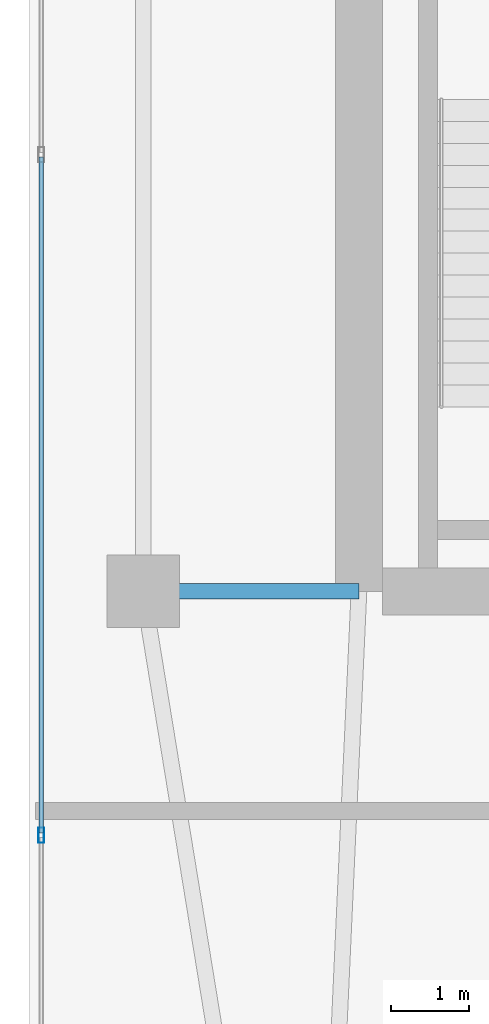
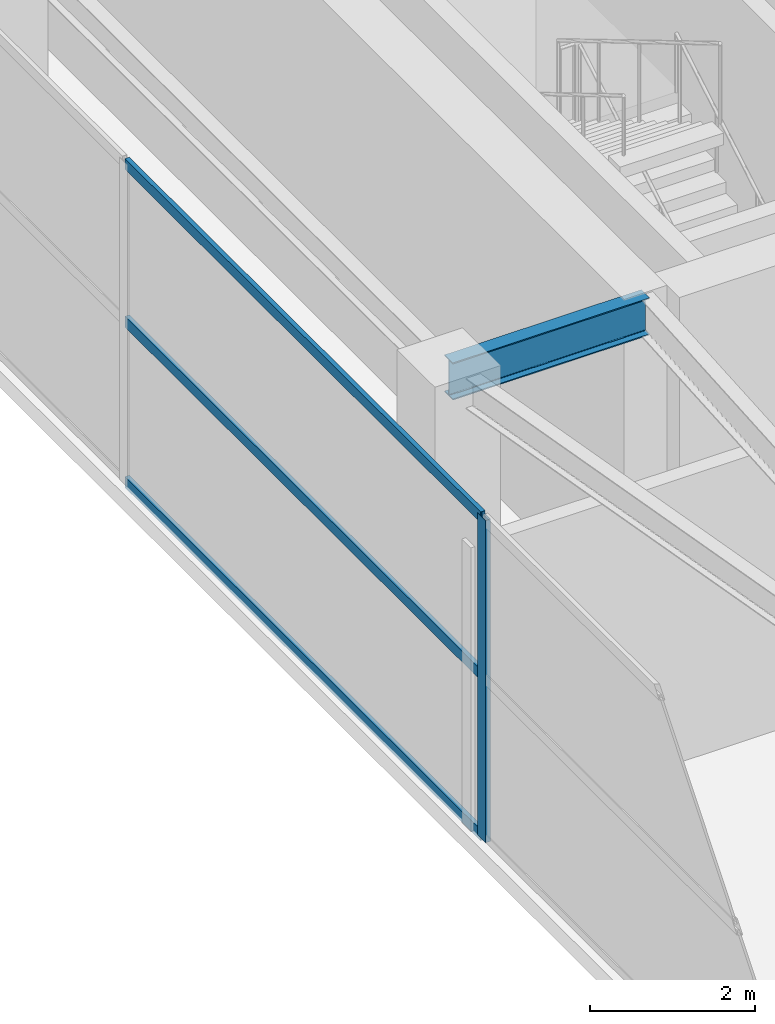
# One storey, part 6 of 21: 4 members, 1 beam, 1 element without a shape of its own.
"""IFC4 building model written with IfcOpenShell, lengths in metres."""

import ifcopenshell
import ifcopenshell.guid

model = None  # the IFC model being written
_history = None  # IfcOwnerHistory: only IFC2X3 demands one
_inside = {}  # id of a spatial element -> (the spatial element, [elements in it])
_under = {}  # id of a project, library or spatial element -> (it, [spatial elements below it])
_declared = {}  # id of a project -> (the project, [libraries it declares])
_typed = {}  # id of a type object -> (the type object, [elements of that type])
_made_of = {}  # id of a material, layer set ... -> (it, [elements and type objects made of it])


def new_model(schema):
    """Start an empty IFC model of exactly this schema.

    Asked for "IFC4X3", IfcOpenShell would pick the latest addendum, in which some entities
    have other attributes; the version numbers below select the first issue.
    IFC2X3 requires an IfcOwnerHistory on every rooted entity: one is made here for all.
    """
    global model, _history
    if schema == "IFC4X3":
        model = ifcopenshell.file(schema_version=(4, 3, 0, 0))
    else:
        model = ifcopenshell.file(schema=schema)
    _inside.clear()
    _under.clear()
    _declared.clear()
    _typed.clear()
    _made_of.clear()
    _history = None
    if model.schema == "IFC2X3":
        org = make("IfcOrganization", Name="unknown")
        user = make(
            "IfcPersonAndOrganization",
            ThePerson=make("IfcPerson", FamilyName="unknown"),
            TheOrganization=org,
        )
        app = make(
            "IfcApplication",
            ApplicationDeveloper=org,
            Version="unknown",
            ApplicationFullName="unknown",
            ApplicationIdentifier="unknown",
        )
        _history = make(
            "IfcOwnerHistory",
            OwningUser=user,
            OwningApplication=app,
            ChangeAction="ADDED",
            CreationDate=0,
        )
    return model


def make(cls, **values):
    """One entity of the class cls with the attributes given. An attribute that is None is left unset."""
    return model.create_entity(
        cls, **{name: value for name, value in values.items() if value is not None}
    )


def rooted(cls, **values):
    """An entity with a GlobalId (a new one), such as an element, a storey or a relation."""
    return make(cls, GlobalId=ifcopenshell.guid.new(), OwnerHistory=_history, **values)


def si_unit(unit_type, name, prefix=None):
    """IfcSIUnit, for example si_unit("LENGTHUNIT", "METRE", prefix="MILLI")."""
    return make("IfcSIUnit", UnitType=unit_type, Prefix=prefix, Name=name)


def assignment(units):
    """IfcUnitAssignment: the units of a project."""
    return None if units is None else make("IfcUnitAssignment", Units=units)


def point(xyz):
    """IfcCartesianPoint."""
    return None if xyz is None else make("IfcCartesianPoint", Coordinates=xyz)


def direction(xyz):
    """IfcDirection."""
    return None if xyz is None else make("IfcDirection", DirectionRatios=xyz)


def frame(location, z_axis=None, x_axis=None):
    """IfcAxis2Placement3D, a coordinate frame: its origin and axes. An axis left out is left unset."""
    return make(
        "IfcAxis2Placement3D",
        Location=point(location),
        Axis=direction(z_axis),
        RefDirection=direction(x_axis),
    )


def frame_2d(location, x_axis=None):
    """IfcAxis2Placement2D, a coordinate frame in the plane: its origin and x axis."""
    return make(
        "IfcAxis2Placement2D", Location=point(location), RefDirection=direction(x_axis)
    )


def origin():
    """The frame at (0, 0, 0) with its axes left unset."""
    return frame((0.0, 0.0, 0.0))


def origin_2d():
    """The frame at (0, 0) in the plane with its x axis left unset."""
    return frame_2d((0.0, 0.0))


def place(relative_to, where):
    """IfcLocalPlacement: puts the frame where relative to a parent placement (None: the world)."""
    return make(
        "IfcLocalPlacement", PlacementRelTo=relative_to, RelativePlacement=where
    )


def context(
    kind, dimensions, precision=None, world=None, true_north=None, identifier=None
):
    """IfcGeometricRepresentationContext, for example the 3D "Model" context."""
    return make(
        "IfcGeometricRepresentationContext",
        ContextIdentifier=identifier,
        ContextType=kind,
        CoordinateSpaceDimension=dimensions,
        Precision=precision,
        WorldCoordinateSystem=world,
        TrueNorth=true_north,
    )


def subcontext(parent, identifier, kind, view, scale=None):
    """IfcGeometricRepresentationSubContext, for example "Body" below "Model"."""
    return make(
        "IfcGeometricRepresentationSubContext",
        ContextIdentifier=identifier,
        ContextType=kind,
        ParentContext=parent,
        TargetScale=scale,
        TargetView=view,
    )


def project(units=None, contexts=None):
    """IfcProject with its units and contexts."""
    return rooted(
        "IfcProject",
        Name="project",
        RepresentationContexts=contexts,
        UnitsInContext=assignment(units),
    )


def spatial(cls, under=None, at=None, **own):
    """A site, building, storey or space (cls), placed at a placement, below another one or the project."""
    s = rooted(cls, ObjectPlacement=at, **own)
    if under is not None:
        _under.setdefault(under.id(), (under, []))[1].append(s)
    return s


def profile(cls, at=None, kind="AREA", **sizes):
    """A parametric profile (cls). Its sizes go by their IFC names, for example OverallWidth=200.0."""
    return make(cls, ProfileType=kind, Position=at, **sizes)


def hollow_rectangle(**sizes):
    """IfcRectangleHollowProfileDef."""
    return profile("IfcRectangleHollowProfileDef", **sizes)


def i_section(**sizes):
    """IfcIShapeProfileDef."""
    return profile("IfcIShapeProfileDef", **sizes)


def extrude(swept, where, along, depth):
    """IfcExtrudedAreaSolid: the profile swept, set in the frame where, extruded along a direction by depth."""
    return make(
        "IfcExtrudedAreaSolid",
        SweptArea=swept,
        Position=where,
        ExtrudedDirection=direction(along),
        Depth=depth,
    )


def shape(context_of_items, identifier, shape_type, items):
    """IfcShapeRepresentation: the items that make up one representation, for example the "Body"."""
    return make(
        "IfcShapeRepresentation",
        ContextOfItems=context_of_items,
        RepresentationIdentifier=identifier,
        RepresentationType=shape_type,
        Items=items,
    )


def material(Name=None, Category=None):
    """IfcMaterial."""
    return make("IfcMaterial", Name=Name, Category=Category)


def layer(
    of_material, thickness, ventilated=None, Name=None, Category=None, Priority=None
):
    """IfcMaterialLayer: one layer of a wall or slab, of a material (None: an air gap)."""
    return make(
        "IfcMaterialLayer",
        Material=of_material,
        LayerThickness=thickness,
        IsVentilated=ventilated,
        Name=Name,
        Category=Category,
        Priority=Priority,
    )


def layer_set(layers, Name=None):
    """IfcMaterialLayerSet."""
    return make("IfcMaterialLayerSet", MaterialLayers=layers, LayerSetName=Name)


def material_profile(
    of_material, cross_section, Name=None, Category=None, Priority=None
):
    """IfcMaterialProfile: a cross section and its material."""
    return make(
        "IfcMaterialProfile",
        Name=Name,
        Material=of_material,
        Profile=cross_section,
        Priority=Priority,
        Category=Category,
    )


def profile_set(profiles, Name=None, composite=None):
    """IfcMaterialProfileSet."""
    return make(
        "IfcMaterialProfileSet",
        Name=Name,
        MaterialProfiles=profiles,
        CompositeProfile=composite,
    )


def made_of(thing, what):
    """Note that an element or type object is made of a material, layer set ...; save() writes the relation."""
    if what is not None:
        _made_of.setdefault(what.id(), (what, []))[1].append(thing)
    return thing


def type_object(cls, material=None, **own):
    """A type object (cls), such as IfcWallType, which elements share."""
    return made_of(rooted(cls, **own), material)


def element(
    cls,
    number,
    at=None,
    inside=None,
    cuts=None,
    type_object=None,
    material=None,
    context=None,
    identifier="Body",
    shape_type=None,
    held_by="IfcProductDefinitionShape",
    body=None,
    shapes=None,
    **own,
):
    """One element of the class cls, such as IfcWall. Its Tag is "e" and its number.

    at: its placement. inside: the storey or other place that contains it. cuts: it is an
    opening in that element (IfcRelVoidsElement). A single representation is given by context,
    identifier, shape_type and body (its items); several are given by shapes. held_by: the class
    of the entity that holds the representations. save() writes the other relations.
    """
    e = rooted(cls, Tag="e%d" % number, ObjectPlacement=at, **own)
    if body is not None:
        shapes = [shape(context, identifier, shape_type, body)]
    if shapes is not None:
        e.Representation = make(held_by, Representations=shapes)
    if inside is not None:
        _inside.setdefault(inside.id(), (inside, []))[1].append(e)
    if cuts is not None:
        rooted(
            "IfcRelVoidsElement", RelatingBuildingElement=cuts, RelatedOpeningElement=e
        )
    if type_object is not None:
        _typed.setdefault(type_object.id(), (type_object, []))[1].append(e)
    return made_of(e, material)


def aggregate(whole, parts):
    """IfcRelAggregates: a whole, such as a stair, and the parts it consists of."""
    return rooted("IfcRelAggregates", RelatingObject=whole, RelatedObjects=parts)


def save(model, path):
    """Write the relations noted so far, then the file.

    IfcRelAggregates (storeys below a building ...), IfcRelContainedInSpatialStructure (elements
    in a storey), IfcRelDefinesByType, IfcRelAssociatesMaterial and IfcRelDeclares: one each for
    every whole, place, type object, material and project.
    """
    for whole, parts in _under.values():
        aggregate(whole, parts)
    for where, things in _inside.values():
        rooted(
            "IfcRelContainedInSpatialStructure",
            RelatedElements=things,
            RelatingStructure=where,
        )
    for kind, things in _typed.values():
        rooted("IfcRelDefinesByType", RelatedObjects=things, RelatingType=kind)
    for what, things in _made_of.values():
        rooted("IfcRelAssociatesMaterial", RelatedObjects=things, RelatingMaterial=what)
    for by, libraries in _declared.values():
        rooted("IfcRelDeclares", RelatingContext=by, RelatedDefinitions=libraries)
    model.write(path)


model = new_model("IFC4")

# Units and contexts
model_context = context("Model", 3, precision=1e-05, world=origin(), true_north=direction((0.0, 1.0)))
body_context = subcontext(model_context, "Body", "Model", "MODEL_VIEW")
ifc_project = project(units=[si_unit("LENGTHUNIT", "METRE"), si_unit("AREAUNIT", "SQUARE_METRE"), si_unit("VOLUMEUNIT", "CUBIC_METRE"), si_unit("PLANEANGLEUNIT", "RADIAN"), si_unit("MASSUNIT", "GRAM", prefix="KILO")], contexts=[model_context])

# Site, building, storey
site_placement = place(None, origin())
site = spatial("IfcSite", under=ifc_project, at=site_placement, CompositionType="ELEMENT")
building_placement = place(site_placement, origin())
building = spatial("IfcBuilding", under=site, at=building_placement, Name="Calvorn Quay Hotel", CompositionType="ELEMENT")
storey_placement = place(building_placement, frame((0.0, 0.0, 330.5)))
storey = spatial("IfcBuildingStorey", under=building, at=storey_placement, Name="L81", CompositionType="ELEMENT", Elevation=330.5)

# Beam
ifc_material_1 = material(Name="Steel Q355B", Category="steel")
ifc_material_profile_1 = material_profile(ifc_material_1, i_section(OverallWidth=0.199951171875, OverallDepth=0.550048828125, WebThickness=0.010009765625, FlangeThickness=0.01611328125, FilletRadius=0.01806640625, at=origin_2d()), Name="HN550x200x10x16")
ifc_profile_set_1 = profile_set([ifc_material_profile_1], Name="Steel Q355B")
beam_type = type_object("IfcBeamType", Name="BM-GIRD-UPP", PredefinedType="BEAM", material=ifc_profile_set_1)
beam_placement = place(storey_placement, frame((1.449951171875, 16.800048828125, 4.465087890625), z_axis=(1.0, 0.0, 0.0), x_axis=(0.0, 1.0, 0.0)))
element("IfcBeam", 1, at=beam_placement, inside=storey, type_object=beam_type, Name="Beam BG-L81-W1", PredefinedType="BEAM", context=body_context, shape_type="SweptSolid", body=[
    extrude(i_section(OverallWidth=0.199951171875, OverallDepth=0.550048828125, WebThickness=0.010009765625, FlangeThickness=0.01611328125, FilletRadius=0.01806640625, at=origin_2d()), origin(), (0.0, 0.0, 1.0), 2.75),
])

# Curtain wall, members
ifc_material_2 = material(Name="Pale Anodised Aluminium and Laminated Glass", Category="aluminium")
ifc_layer = layer(ifc_material_2, 0.219970703125)
ifc_layer_set = layer_set([ifc_layer], Name="CW-SYS-CRN")
curtain_wall_type = type_object("IfcCurtainWallType", Name="CW-SYS-CRN", PredefinedType="NOTDEFINED", material=ifc_layer_set)
curtain_wall_placement = place(storey_placement, origin())
curtain_wall = element("IfcCurtainWall", 2, at=curtain_wall_placement, inside=storey, type_object=curtain_wall_type, Name="Crown Curtain Wall L81-C5", PredefinedType="NOTDEFINED")
ifc_material_3 = material(Name="Pale Anodised Aluminium 6063-T6", Category="aluminium")
ifc_material_profile_2 = material_profile(ifc_material_3, hollow_rectangle(XDim=0.072021484375, YDim=0.195068359375, WallThickness=0.00390625, at=origin_2d()), Name="ALU-M195x72x4")
ifc_profile_set_2 = profile_set([ifc_material_profile_2], Name="Pale Anodised Aluminium 6063-T6")
member_type_1 = type_object("IfcMemberType", Name="CW-SYS-CRN-MUL", PredefinedType="MULLION", material=ifc_profile_set_2)
member_1_placement = place(storey_placement, frame((0.14990234375, 13.69189453125, 0.0), z_axis=(0.0, 0.0, 1.0), x_axis=(1.0, 0.0, 0.0)))
member_1 = element("IfcMember", 3, at=member_1_placement, type_object=member_type_1, Name="CW-L81-C5 mullion 5", PredefinedType="MULLION", context=body_context, shape_type="SweptSolid", body=[
    extrude(hollow_rectangle(XDim=0.072021484375, YDim=0.195068359375, WallThickness=0.00390625, at=origin_2d()), origin(), (0.0, 0.0, 1.0), 4.760009765625),
])
ifc_material_4 = material(Name="Pale Anodised Aluminium 6063-T6", Category="aluminium")
ifc_material_profile_3 = material_profile(ifc_material_4, hollow_rectangle(XDim=0.06201171875, YDim=0.159912109375, WallThickness=0.00341796875, at=origin_2d()), Name="ALU-T160x62x3.5")
ifc_profile_set_3 = profile_set([ifc_material_profile_3], Name="Pale Anodised Aluminium 6063-T6")
member_type_2 = type_object("IfcMemberType", Name="CW-SYS-CRN-TRN", PredefinedType="USERDEFINED", material=ifc_profile_set_3)
member_2_placement = place(storey_placement, frame((0.14990234375, 22.333984375, 0.030029296875), z_axis=(0.0, -1.0, 0.0), x_axis=(1.0, 0.0, 0.0)))
member_2 = element("IfcMember", 4, at=member_2_placement, type_object=member_type_2, Name="CW-L81-C5 transom 4.1", ObjectType="TRANSOM", PredefinedType="USERDEFINED", context=body_context, shape_type="SweptSolid", body=[
    extrude(hollow_rectangle(XDim=0.06201171875, YDim=0.159912109375, WallThickness=0.00341796875, at=origin_2d()), origin(), (0.0, 0.0, 1.0), 8.612060546875),
])
member_3_placement = place(storey_placement, frame((0.14990234375, 22.333984375, 2.39990234375), z_axis=(0.0, -1.0, 0.0), x_axis=(1.0, 0.0, 0.0)))
member_3 = element("IfcMember", 5, at=member_3_placement, type_object=member_type_2, Name="CW-L81-C5 transom 4.2", ObjectType="TRANSOM", PredefinedType="USERDEFINED", context=body_context, shape_type="SweptSolid", body=[
    extrude(hollow_rectangle(XDim=0.06201171875, YDim=0.159912109375, WallThickness=0.00341796875, at=origin_2d()), origin(), (0.0, 0.0, 1.0), 8.612060546875),
])
member_4_placement = place(storey_placement, frame((0.14990234375, 22.333984375, 4.72998046875), z_axis=(0.0, -1.0, 0.0), x_axis=(1.0, 0.0, 0.0)))
member_4 = element("IfcMember", 6, at=member_4_placement, type_object=member_type_2, Name="CW-L81-C5 transom 4.3", ObjectType="TRANSOM", PredefinedType="USERDEFINED", context=body_context, shape_type="SweptSolid", body=[
    extrude(hollow_rectangle(XDim=0.06201171875, YDim=0.159912109375, WallThickness=0.00341796875, at=origin_2d()), origin(), (0.0, 0.0, 1.0), 8.612060546875),
])
aggregate(curtain_wall, [member_1, member_2, member_3, member_4])

save(model, "model.ifc")
